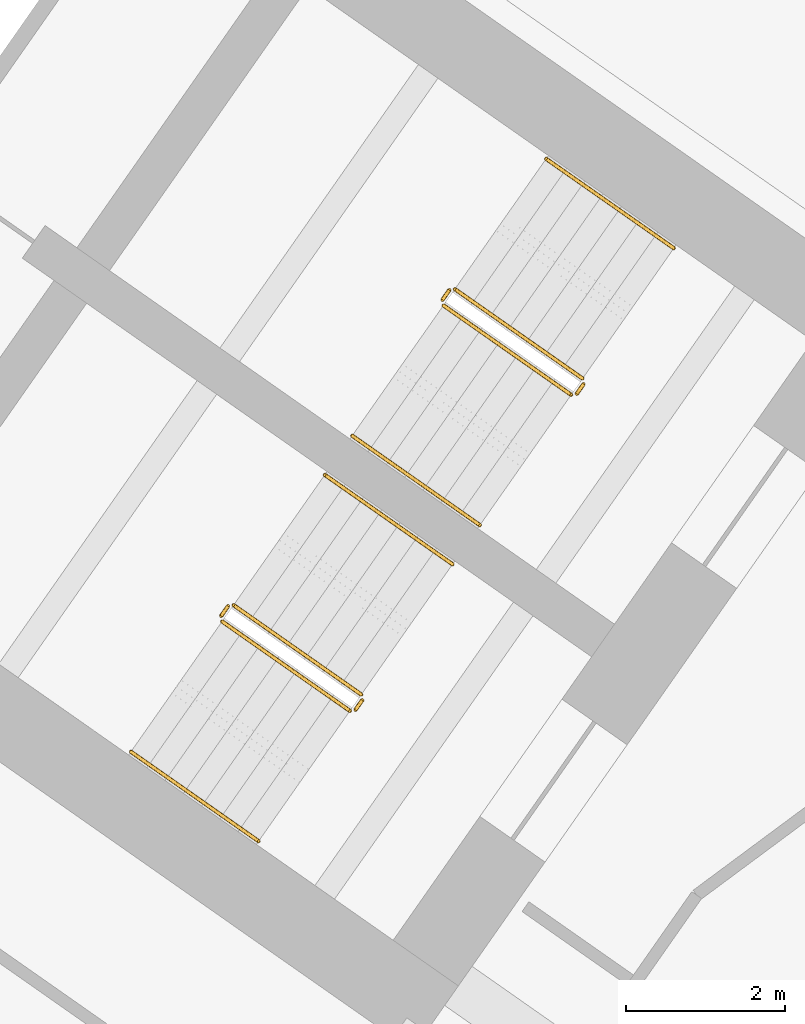
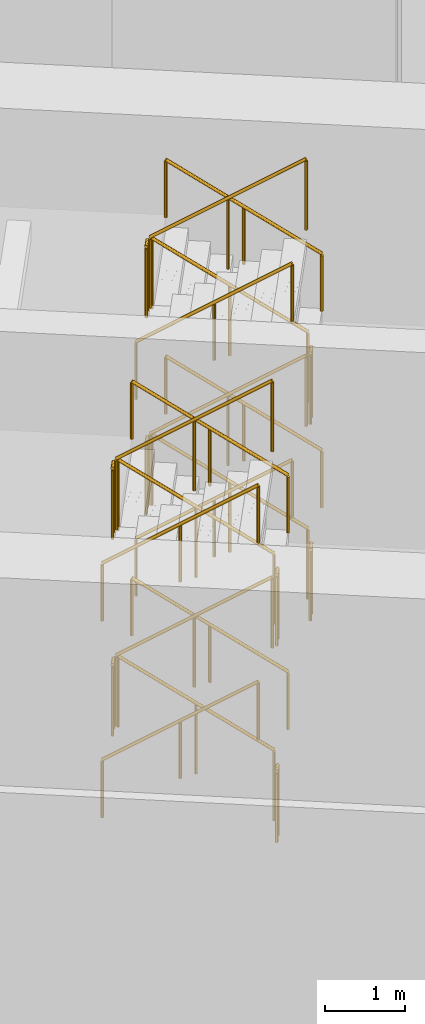
# One storey, part 24 of 25: 24 railings.
"""IFC4 building model written with IfcOpenShell, lengths in metres."""

from ifc_helpers import new_model, si_unit, direction, frame, origin, origin_2d, place, context, subcontext, project, spatial, circle, extrude, material, type_object, element, save


model = new_model("IFC4")

# Units and contexts
model_context = context("Model", 3, precision=1e-05, world=origin(), true_north=direction((0.0, 1.0)))
body_context = subcontext(model_context, "Body", "Model", "MODEL_VIEW")
ifc_project = project(units=[si_unit("LENGTHUNIT", "METRE"), si_unit("AREAUNIT", "SQUARE_METRE"), si_unit("VOLUMEUNIT", "CUBIC_METRE"), si_unit("PLANEANGLEUNIT", "RADIAN"), si_unit("MASSUNIT", "GRAM", prefix="KILO")], contexts=[model_context])

# Site, building, storey
site_placement = place(None, origin())
site = spatial("IfcSite", under=ifc_project, at=site_placement, CompositionType="ELEMENT")
building_placement = place(site_placement, origin())
building = spatial("IfcBuilding", under=site, at=building_placement, Name="Tel Ilan Convention Tower", CompositionType="ELEMENT")
storey_placement = place(building_placement, frame((0.0, 0.0, 26.0)))
storey = spatial("IfcBuildingStorey", under=building, at=storey_placement, Name="L03", CompositionType="ELEMENT", Elevation=26.0)

# Railings
ifc_material_1 = material(Name="Stainless Steel Grade 316", Category="steel")
railing_type_1 = type_object("IfcRailingType", Name="Stainless Steel Stair Guard 1100 mm", PredefinedType="GUARDRAIL", material=ifc_material_1)
railing_1_placement = place(storey_placement, frame((23.6787109375, -7.8515625, 0.1875)))
element("IfcRailing", 1, at=railing_1_placement, inside=storey, type_object=railing_type_1, Name="L03 S3 stair guard 1", PredefinedType="GUARDRAIL", context=body_context, shape_type="SweptSolid", body=[
    extrude(circle(Radius=0.02392578125, at=origin_2d()), frame((0.0, 0.0, 1.076171875), z_axis=(-0.680615610069, 0.476617226942, 0.556415681224), x_axis=(-0.573612813533, -0.819126571508, 0.0)), (0.0, 0.0, 1.0), 2.35888671875),
    extrude(circle(Radius=0.02099609375, at=origin_2d()), origin(), (0.0, 0.0, 1.0), 1.052001953125),
    extrude(circle(Radius=0.02099609375, at=origin_2d()), frame((-0.802734375, 0.56201171875, 0.65625)), (0.0, 0.0, 1.0), 1.052001953125),
    extrude(circle(Radius=0.02099609375, at=origin_2d()), frame((-1.60546875, 1.124267578125, 1.3125)), (0.0, 0.0, 1.0), 1.052001953125),
])
railing_2_placement = place(storey_placement, frame((22.003662109375, -6.739501953125, 1.5)))
element("IfcRailing", 2, at=railing_2_placement, inside=storey, type_object=railing_type_1, Name="L03 S3 stair guard 2", PredefinedType="GUARDRAIL", context=body_context, shape_type="SweptSolid", body=[
    extrude(circle(Radius=0.02392578125, at=origin_2d()), frame((0.0, 0.0, 1.076171875), z_axis=(-0.57368046593, -0.819079192149, 0.0), x_axis=(0.819079192149, -0.57368046593, 0.0)), (0.0, 0.0, 1.0), 0.150146484375),
    extrude(circle(Radius=0.02099609375, at=origin_2d()), origin(), (0.0, 0.0, 1.0), 1.052001953125),
    extrude(circle(Radius=0.02099609375, at=origin_2d()), frame((-0.086181640625, -0.123046875, 0.0)), (0.0, 0.0, 1.0), 1.052001953125),
])
railing_3_placement = place(storey_placement, frame((21.929931640625, -6.93212890625, 1.6875)))
element("IfcRailing", 3, at=railing_3_placement, inside=storey, type_object=railing_type_1, Name="L03 S3 stair guard 3", PredefinedType="GUARDRAIL", context=body_context, shape_type="SweptSolid", body=[
    extrude(circle(Radius=0.02392578125, at=origin_2d()), frame((0.0, 0.0, 1.076171875), z_axis=(0.680615610069, -0.476617226942, 0.556415681224), x_axis=(0.573612813533, 0.819126571508, 0.0)), (0.0, 0.0, 1.0), 2.35888671875),
    extrude(circle(Radius=0.02099609375, at=origin_2d()), origin(), (0.0, 0.0, 1.0), 1.052001953125),
    extrude(circle(Radius=0.02099609375, at=origin_2d()), frame((0.802734375, -0.56201171875, 0.65625)), (0.0, 0.0, 1.0), 1.052001953125),
    extrude(circle(Radius=0.02099609375, at=origin_2d()), frame((1.60546875, -1.124267578125, 1.3125)), (0.0, 0.0, 1.0), 1.052001953125),
])
railing_4_placement = place(storey_placement, frame((23.691162109375, -7.921142578125, 3.0)))
element("IfcRailing", 4, at=railing_4_placement, inside=storey, type_object=railing_type_1, Name="L03 S3 stair guard 4", PredefinedType="GUARDRAIL", context=body_context, shape_type="SweptSolid", body=[
    extrude(circle(Radius=0.02392578125, at=origin_2d()), frame((0.0, 0.0, 1.076171875), z_axis=(-0.574444878118, -0.818543268254, 0.0), x_axis=(0.818543268254, -0.574444878118, 0.0)), (0.0, 0.0, 1.0), 0.150146484375),
    extrude(circle(Radius=0.02099609375, at=origin_2d()), origin(), (0.0, 0.0, 1.0), 1.052001953125),
    extrude(circle(Radius=0.02099609375, at=origin_2d()), frame((-0.086181640625, -0.122802734375, 0.0)), (0.0, 0.0, 1.0), 1.052001953125),
])
railing_5_placement = place(storey_placement, frame((23.6787109375, -7.8515625, 3.1875)))
element("IfcRailing", 5, at=railing_5_placement, inside=storey, type_object=railing_type_1, Name="L03 S3 stair guard 5", PredefinedType="GUARDRAIL", context=body_context, shape_type="SweptSolid", body=[
    extrude(circle(Radius=0.02392578125, at=origin_2d()), frame((0.0, 0.0, 1.076171875), z_axis=(-0.680615610069, 0.476617226942, 0.556415681224), x_axis=(-0.573612813533, -0.819126571508, 0.0)), (0.0, 0.0, 1.0), 2.35888671875),
    extrude(circle(Radius=0.02099609375, at=origin_2d()), origin(), (0.0, 0.0, 1.0), 1.052001953125),
    extrude(circle(Radius=0.02099609375, at=origin_2d()), frame((-0.802734375, 0.56201171875, 0.65625)), (0.0, 0.0, 1.0), 1.052001953125),
    extrude(circle(Radius=0.02099609375, at=origin_2d()), frame((-1.60546875, 1.124267578125, 1.3125)), (0.0, 0.0, 1.0), 1.052001953125),
])
railing_6_placement = place(storey_placement, frame((22.003662109375, -6.739501953125, 4.5)))
element("IfcRailing", 6, at=railing_6_placement, inside=storey, type_object=railing_type_1, Name="L03 S3 stair guard 6", PredefinedType="GUARDRAIL", context=body_context, shape_type="SweptSolid", body=[
    extrude(circle(Radius=0.02392578125, at=origin_2d()), frame((0.0, 0.0, 1.076171875), z_axis=(-0.57368046593, -0.819079192149, 0.0), x_axis=(0.819079192149, -0.57368046593, 0.0)), (0.0, 0.0, 1.0), 0.150146484375),
    extrude(circle(Radius=0.02099609375, at=origin_2d()), origin(), (0.0, 0.0, 1.0), 1.052001953125),
    extrude(circle(Radius=0.02099609375, at=origin_2d()), frame((-0.086181640625, -0.123046875, 0.0)), (0.0, 0.0, 1.0), 1.052001953125),
])
railing_7_placement = place(storey_placement, frame((21.929931640625, -6.93212890625, 4.6875)))
element("IfcRailing", 7, at=railing_7_placement, inside=storey, type_object=railing_type_1, Name="L03 S3 stair guard 7", PredefinedType="GUARDRAIL", context=body_context, shape_type="SweptSolid", body=[
    extrude(circle(Radius=0.02392578125, at=origin_2d()), frame((0.0, 0.0, 1.076171875), z_axis=(0.680615610069, -0.476617226942, 0.556415681224), x_axis=(0.573612813533, 0.819126571508, 0.0)), (0.0, 0.0, 1.0), 2.35888671875),
    extrude(circle(Radius=0.02099609375, at=origin_2d()), origin(), (0.0, 0.0, 1.0), 1.052001953125),
    extrude(circle(Radius=0.02099609375, at=origin_2d()), frame((0.802734375, -0.56201171875, 0.65625)), (0.0, 0.0, 1.0), 1.052001953125),
    extrude(circle(Radius=0.02099609375, at=origin_2d()), frame((1.60546875, -1.124267578125, 1.3125)), (0.0, 0.0, 1.0), 1.052001953125),
])
railing_8_placement = place(storey_placement, frame((23.691162109375, -7.921142578125, 0.0)))
element("IfcRailing", 8, at=railing_8_placement, inside=storey, type_object=railing_type_1, Name="L03 S3 stair guard 8", PredefinedType="GUARDRAIL", context=body_context, shape_type="SweptSolid", body=[
    extrude(circle(Radius=0.02392578125, at=origin_2d()), frame((0.0, 0.0, 1.076171875), z_axis=(-0.574444878118, -0.818543268254, 0.0), x_axis=(0.818543268254, -0.574444878118, 0.0)), (0.0, 0.0, 1.0), 0.150146484375),
    extrude(circle(Radius=0.02099609375, at=origin_2d()), origin(), (0.0, 0.0, 1.0), 1.052001953125),
    extrude(circle(Radius=0.02099609375, at=origin_2d()), frame((-0.086181640625, -0.122802734375, 0.0)), (0.0, 0.0, 1.0), 1.052001953125),
])
railing_9_placement = place(storey_placement, frame((20.89697265625, -11.824462890625, 0.1875)))
element("IfcRailing", 9, at=railing_9_placement, inside=storey, type_object=railing_type_1, Name="L03 S4 stair guard 1", PredefinedType="GUARDRAIL", context=body_context, shape_type="SweptSolid", body=[
    extrude(circle(Radius=0.02392578125, at=origin_2d()), frame((0.0, 0.0, 1.076171875), z_axis=(-0.680615610069, 0.476617226942, 0.556415681224), x_axis=(-0.573612813533, -0.819126571508, 0.0)), (0.0, 0.0, 1.0), 2.35888671875),
    extrude(circle(Radius=0.02099609375, at=origin_2d()), origin(), (0.0, 0.0, 1.0), 1.052001953125),
    extrude(circle(Radius=0.02099609375, at=origin_2d()), frame((-0.802734375, 0.56201171875, 0.65625)), (0.0, 0.0, 1.0), 1.052001953125),
    extrude(circle(Radius=0.02099609375, at=origin_2d()), frame((-1.60546875, 1.124267578125, 1.3125)), (0.0, 0.0, 1.0), 1.052001953125),
])
railing_10_placement = place(storey_placement, frame((19.2216796875, -10.71240234375, 1.5)))
element("IfcRailing", 10, at=railing_10_placement, inside=storey, type_object=railing_type_1, Name="L03 S4 stair guard 2", PredefinedType="GUARDRAIL", context=body_context, shape_type="SweptSolid", body=[
    extrude(circle(Radius=0.02392578125, at=origin_2d()), frame((0.0, 0.0, 1.076171875), z_axis=(-0.572588637393, -0.819842821722, 0.0), x_axis=(0.819842821722, -0.572588637393, 0.0)), (0.0, 0.0, 1.0), 0.150146484375),
    extrude(circle(Radius=0.02099609375, at=origin_2d()), origin(), (0.0, 0.0, 1.0), 1.052001953125),
    extrude(circle(Radius=0.02099609375, at=origin_2d()), frame((-0.0859375, -0.123046875, 0.0)), (0.0, 0.0, 1.0), 1.052001953125),
])
railing_11_placement = place(storey_placement, frame((19.14794921875, -10.905029296875, 1.6875)))
element("IfcRailing", 11, at=railing_11_placement, inside=storey, type_object=railing_type_1, Name="L03 S4 stair guard 3", PredefinedType="GUARDRAIL", context=body_context, shape_type="SweptSolid", body=[
    extrude(circle(Radius=0.02392578125, at=origin_2d()), frame((0.0, 0.0, 1.076171875), z_axis=(0.680671159075, -0.476583653268, 0.55637648642), x_axis=(0.573554290663, 0.819167550421, 0.0)), (0.0, 0.0, 1.0), 2.359130859375),
    extrude(circle(Radius=0.02099609375, at=origin_2d()), origin(), (0.0, 0.0, 1.0), 1.052001953125),
    extrude(circle(Radius=0.02099609375, at=origin_2d()), frame((0.802734375, -0.56201171875, 0.65625)), (0.0, 0.0, 1.0), 1.052001953125),
    extrude(circle(Radius=0.02099609375, at=origin_2d()), frame((1.605712890625, -1.124267578125, 1.3125)), (0.0, 0.0, 1.0), 1.052001953125),
])
railing_12_placement = place(storey_placement, frame((20.9091796875, -11.89404296875, 3.0)))
element("IfcRailing", 12, at=railing_12_placement, inside=storey, type_object=railing_type_1, Name="L03 S4 stair guard 4", PredefinedType="GUARDRAIL", context=body_context, shape_type="SweptSolid", body=[
    extrude(circle(Radius=0.02392578125, at=origin_2d()), frame((0.0, 0.0, 1.076171875), z_axis=(-0.573353020881, -0.819308436089, 0.0), x_axis=(0.819308436089, -0.573353020881, 0.0)), (0.0, 0.0, 1.0), 0.14990234375),
    extrude(circle(Radius=0.02099609375, at=origin_2d()), origin(), (0.0, 0.0, 1.0), 1.052001953125),
    extrude(circle(Radius=0.02099609375, at=origin_2d()), frame((-0.0859375, -0.122802734375, 0.0)), (0.0, 0.0, 1.0), 1.052001953125),
])
railing_13_placement = place(storey_placement, frame((20.89697265625, -11.824462890625, 3.1875)))
element("IfcRailing", 13, at=railing_13_placement, inside=storey, type_object=railing_type_1, Name="L03 S4 stair guard 5", PredefinedType="GUARDRAIL", context=body_context, shape_type="SweptSolid", body=[
    extrude(circle(Radius=0.02392578125, at=origin_2d()), frame((0.0, 0.0, 1.076171875), z_axis=(-0.680615610069, 0.476617226942, 0.556415681224), x_axis=(-0.573612813533, -0.819126571508, 0.0)), (0.0, 0.0, 1.0), 2.35888671875),
    extrude(circle(Radius=0.02099609375, at=origin_2d()), origin(), (0.0, 0.0, 1.0), 1.052001953125),
    extrude(circle(Radius=0.02099609375, at=origin_2d()), frame((-0.802734375, 0.56201171875, 0.65625)), (0.0, 0.0, 1.0), 1.052001953125),
    extrude(circle(Radius=0.02099609375, at=origin_2d()), frame((-1.60546875, 1.124267578125, 1.3125)), (0.0, 0.0, 1.0), 1.052001953125),
])
railing_14_placement = place(storey_placement, frame((19.2216796875, -10.71240234375, 4.5)))
element("IfcRailing", 14, at=railing_14_placement, inside=storey, type_object=railing_type_1, Name="L03 S4 stair guard 6", PredefinedType="GUARDRAIL", context=body_context, shape_type="SweptSolid", body=[
    extrude(circle(Radius=0.02392578125, at=origin_2d()), frame((0.0, 0.0, 1.076171875), z_axis=(-0.572588637393, -0.819842821722, 0.0), x_axis=(0.819842821722, -0.572588637393, 0.0)), (0.0, 0.0, 1.0), 0.150146484375),
    extrude(circle(Radius=0.02099609375, at=origin_2d()), origin(), (0.0, 0.0, 1.0), 1.052001953125),
    extrude(circle(Radius=0.02099609375, at=origin_2d()), frame((-0.0859375, -0.123046875, 0.0)), (0.0, 0.0, 1.0), 1.052001953125),
])
railing_15_placement = place(storey_placement, frame((19.14794921875, -10.905029296875, 4.6875)))
element("IfcRailing", 15, at=railing_15_placement, inside=storey, type_object=railing_type_1, Name="L03 S4 stair guard 7", PredefinedType="GUARDRAIL", context=body_context, shape_type="SweptSolid", body=[
    extrude(circle(Radius=0.02392578125, at=origin_2d()), frame((0.0, 0.0, 1.076171875), z_axis=(0.680671159075, -0.476583653268, 0.55637648642), x_axis=(0.573554290663, 0.819167550421, 0.0)), (0.0, 0.0, 1.0), 2.359130859375),
    extrude(circle(Radius=0.02099609375, at=origin_2d()), origin(), (0.0, 0.0, 1.0), 1.052001953125),
    extrude(circle(Radius=0.02099609375, at=origin_2d()), frame((0.802734375, -0.56201171875, 0.65625)), (0.0, 0.0, 1.0), 1.052001953125),
    extrude(circle(Radius=0.02099609375, at=origin_2d()), frame((1.605712890625, -1.124267578125, 1.3125)), (0.0, 0.0, 1.0), 1.052001953125),
])
railing_16_placement = place(storey_placement, frame((20.9091796875, -11.89404296875, 0.0)))
element("IfcRailing", 16, at=railing_16_placement, inside=storey, type_object=railing_type_1, Name="L03 S4 stair guard 8", PredefinedType="GUARDRAIL", context=body_context, shape_type="SweptSolid", body=[
    extrude(circle(Radius=0.02392578125, at=origin_2d()), frame((0.0, 0.0, 1.076171875), z_axis=(-0.573353020881, -0.819308436089, 0.0), x_axis=(0.819308436089, -0.573353020881, 0.0)), (0.0, 0.0, 1.0), 0.14990234375),
    extrude(circle(Radius=0.02099609375, at=origin_2d()), origin(), (0.0, 0.0, 1.0), 1.052001953125),
    extrude(circle(Radius=0.02099609375, at=origin_2d()), frame((-0.0859375, -0.122802734375, 0.0)), (0.0, 0.0, 1.0), 1.052001953125),
])
ifc_material_2 = material(Name="Stainless Steel Grade 316", Category="steel")
railing_type_2 = type_object("IfcRailingType", Name="Stainless Steel Stair Handrail 900 mm", PredefinedType="HANDRAIL", material=ifc_material_2)
railing_17_placement = place(storey_placement, frame((24.825927734375, -6.213134765625, 0.1875)))
element("IfcRailing", 17, at=railing_17_placement, inside=storey, type_object=railing_type_2, Name="L03 S3 stair handrail 1", PredefinedType="HANDRAIL", context=body_context, shape_type="SweptSolid", body=[
    extrude(circle(Radius=0.02392578125, at=origin_2d()), frame((0.0, 0.0, 0.8759765625), z_axis=(-0.680649183577, 0.476537232541, 0.55644312818), x_axis=(-0.573529226717, -0.819185098803, 0.0)), (0.0, 0.0, 1.0), 2.358642578125),
    extrude(circle(Radius=0.02099609375, at=origin_2d()), origin(), (0.0, 0.0, 1.0), 0.851806640625),
    extrude(circle(Radius=0.02099609375, at=origin_2d()), frame((-0.802734375, 0.56201171875, 0.65625)), (0.0, 0.0, 1.0), 0.851806640625),
    extrude(circle(Radius=0.02099609375, at=origin_2d()), frame((-1.60546875, 1.1240234375, 1.3125)), (0.0, 0.0, 1.0), 0.851806640625),
])
railing_18_placement = place(storey_placement, frame((20.78271484375, -8.5703125, 1.6875)))
element("IfcRailing", 18, at=railing_18_placement, inside=storey, type_object=railing_type_2, Name="L03 S3 stair handrail 2", PredefinedType="HANDRAIL", context=body_context, shape_type="SweptSolid", body=[
    extrude(circle(Radius=0.02392578125, at=origin_2d()), frame((0.0, 0.0, 0.8759765625), z_axis=(0.680615610069, -0.476617226942, 0.556415681224), x_axis=(0.573612813533, 0.819126571508, 0.0)), (0.0, 0.0, 1.0), 2.35888671875),
    extrude(circle(Radius=0.02099609375, at=origin_2d()), origin(), (0.0, 0.0, 1.0), 0.851806640625),
    extrude(circle(Radius=0.02099609375, at=origin_2d()), frame((0.802734375, -0.56201171875, 0.65625)), (0.0, 0.0, 1.0), 0.851806640625),
    extrude(circle(Radius=0.02099609375, at=origin_2d()), frame((1.60546875, -1.124267578125, 1.3125)), (0.0, 0.0, 1.0), 0.851806640625),
])
railing_19_placement = place(storey_placement, frame((24.825927734375, -6.213134765625, 3.1875)))
element("IfcRailing", 19, at=railing_19_placement, inside=storey, type_object=railing_type_2, Name="L03 S3 stair handrail 3", PredefinedType="HANDRAIL", context=body_context, shape_type="SweptSolid", body=[
    extrude(circle(Radius=0.02392578125, at=origin_2d()), frame((0.0, 0.0, 0.8759765625), z_axis=(-0.680649183577, 0.476537232541, 0.55644312818), x_axis=(-0.573529226717, -0.819185098803, 0.0)), (0.0, 0.0, 1.0), 2.358642578125),
    extrude(circle(Radius=0.02099609375, at=origin_2d()), origin(), (0.0, 0.0, 1.0), 0.851806640625),
    extrude(circle(Radius=0.02099609375, at=origin_2d()), frame((-0.802734375, 0.56201171875, 0.65625)), (0.0, 0.0, 1.0), 0.851806640625),
    extrude(circle(Radius=0.02099609375, at=origin_2d()), frame((-1.60546875, 1.1240234375, 1.3125)), (0.0, 0.0, 1.0), 0.851806640625),
])
railing_20_placement = place(storey_placement, frame((20.78271484375, -8.5703125, 4.6875)))
element("IfcRailing", 20, at=railing_20_placement, inside=storey, type_object=railing_type_2, Name="L03 S3 stair handrail 4", PredefinedType="HANDRAIL", context=body_context, shape_type="SweptSolid", body=[
    extrude(circle(Radius=0.02392578125, at=origin_2d()), frame((0.0, 0.0, 0.8759765625), z_axis=(0.680615610069, -0.476617226942, 0.556415681224), x_axis=(0.573612813533, 0.819126571508, 0.0)), (0.0, 0.0, 1.0), 2.35888671875),
    extrude(circle(Radius=0.02099609375, at=origin_2d()), origin(), (0.0, 0.0, 1.0), 0.851806640625),
    extrude(circle(Radius=0.02099609375, at=origin_2d()), frame((0.802734375, -0.56201171875, 0.65625)), (0.0, 0.0, 1.0), 0.851806640625),
    extrude(circle(Radius=0.02099609375, at=origin_2d()), frame((1.60546875, -1.124267578125, 1.3125)), (0.0, 0.0, 1.0), 0.851806640625),
])
railing_21_placement = place(storey_placement, frame((22.044189453125, -10.18603515625, 0.1875)))
element("IfcRailing", 21, at=railing_21_placement, inside=storey, type_object=railing_type_2, Name="L03 S4 stair handrail 1", PredefinedType="HANDRAIL", context=body_context, shape_type="SweptSolid", body=[
    extrude(circle(Radius=0.02392578125, at=origin_2d()), frame((0.0, 0.0, 0.8759765625), z_axis=(-0.680704730592, 0.47650366119, 0.556403927576), x_axis=(-0.573470704013, -0.8192260687, 0.0)), (0.0, 0.0, 1.0), 2.35888671875),
    extrude(circle(Radius=0.02099609375, at=origin_2d()), origin(), (0.0, 0.0, 1.0), 0.851806640625),
    extrude(circle(Radius=0.02099609375, at=origin_2d()), frame((-0.802734375, 0.56201171875, 0.65625)), (0.0, 0.0, 1.0), 0.851806640625),
    extrude(circle(Radius=0.02099609375, at=origin_2d()), frame((-1.605712890625, 1.1240234375, 1.3125)), (0.0, 0.0, 1.0), 0.851806640625),
])
railing_22_placement = place(storey_placement, frame((18.0009765625, -12.543212890625, 1.6875)))
element("IfcRailing", 22, at=railing_22_placement, inside=storey, type_object=railing_type_2, Name="L03 S4 stair handrail 2", PredefinedType="HANDRAIL", context=body_context, shape_type="SweptSolid", body=[
    extrude(circle(Radius=0.02392578125, at=origin_2d()), frame((0.0, 0.0, 0.8759765625), z_axis=(0.680615610069, -0.476617226942, 0.556415681224), x_axis=(0.573612813533, 0.819126571508, 0.0)), (0.0, 0.0, 1.0), 2.35888671875),
    extrude(circle(Radius=0.02099609375, at=origin_2d()), origin(), (0.0, 0.0, 1.0), 0.851806640625),
    extrude(circle(Radius=0.02099609375, at=origin_2d()), frame((0.802734375, -0.56201171875, 0.65625)), (0.0, 0.0, 1.0), 0.851806640625),
    extrude(circle(Radius=0.02099609375, at=origin_2d()), frame((1.60546875, -1.124267578125, 1.3125)), (0.0, 0.0, 1.0), 0.851806640625),
])
railing_23_placement = place(storey_placement, frame((22.044189453125, -10.18603515625, 3.1875)))
element("IfcRailing", 23, at=railing_23_placement, inside=storey, type_object=railing_type_2, Name="L03 S4 stair handrail 3", PredefinedType="HANDRAIL", context=body_context, shape_type="SweptSolid", body=[
    extrude(circle(Radius=0.02392578125, at=origin_2d()), frame((0.0, 0.0, 0.8759765625), z_axis=(-0.680704730592, 0.47650366119, 0.556403927576), x_axis=(-0.573470704013, -0.8192260687, 0.0)), (0.0, 0.0, 1.0), 2.35888671875),
    extrude(circle(Radius=0.02099609375, at=origin_2d()), origin(), (0.0, 0.0, 1.0), 0.851806640625),
    extrude(circle(Radius=0.02099609375, at=origin_2d()), frame((-0.802734375, 0.56201171875, 0.65625)), (0.0, 0.0, 1.0), 0.851806640625),
    extrude(circle(Radius=0.02099609375, at=origin_2d()), frame((-1.605712890625, 1.1240234375, 1.3125)), (0.0, 0.0, 1.0), 0.851806640625),
])
railing_24_placement = place(storey_placement, frame((18.0009765625, -12.543212890625, 4.6875)))
element("IfcRailing", 24, at=railing_24_placement, inside=storey, type_object=railing_type_2, Name="L03 S4 stair handrail 4", PredefinedType="HANDRAIL", context=body_context, shape_type="SweptSolid", body=[
    extrude(circle(Radius=0.02392578125, at=origin_2d()), frame((0.0, 0.0, 0.8759765625), z_axis=(0.680615610069, -0.476617226942, 0.556415681224), x_axis=(0.573612813533, 0.819126571508, 0.0)), (0.0, 0.0, 1.0), 2.35888671875),
    extrude(circle(Radius=0.02099609375, at=origin_2d()), origin(), (0.0, 0.0, 1.0), 0.851806640625),
    extrude(circle(Radius=0.02099609375, at=origin_2d()), frame((0.802734375, -0.56201171875, 0.65625)), (0.0, 0.0, 1.0), 0.851806640625),
    extrude(circle(Radius=0.02099609375, at=origin_2d()), frame((1.60546875, -1.124267578125, 1.3125)), (0.0, 0.0, 1.0), 0.851806640625),
])

save(model, "model.ifc")
